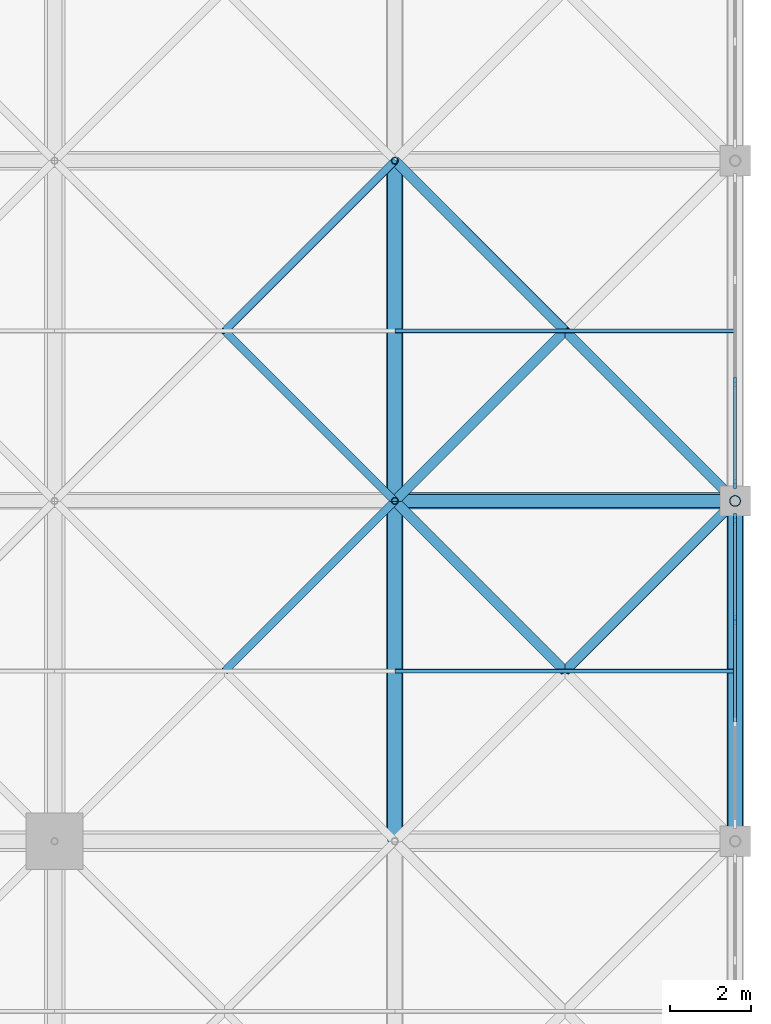
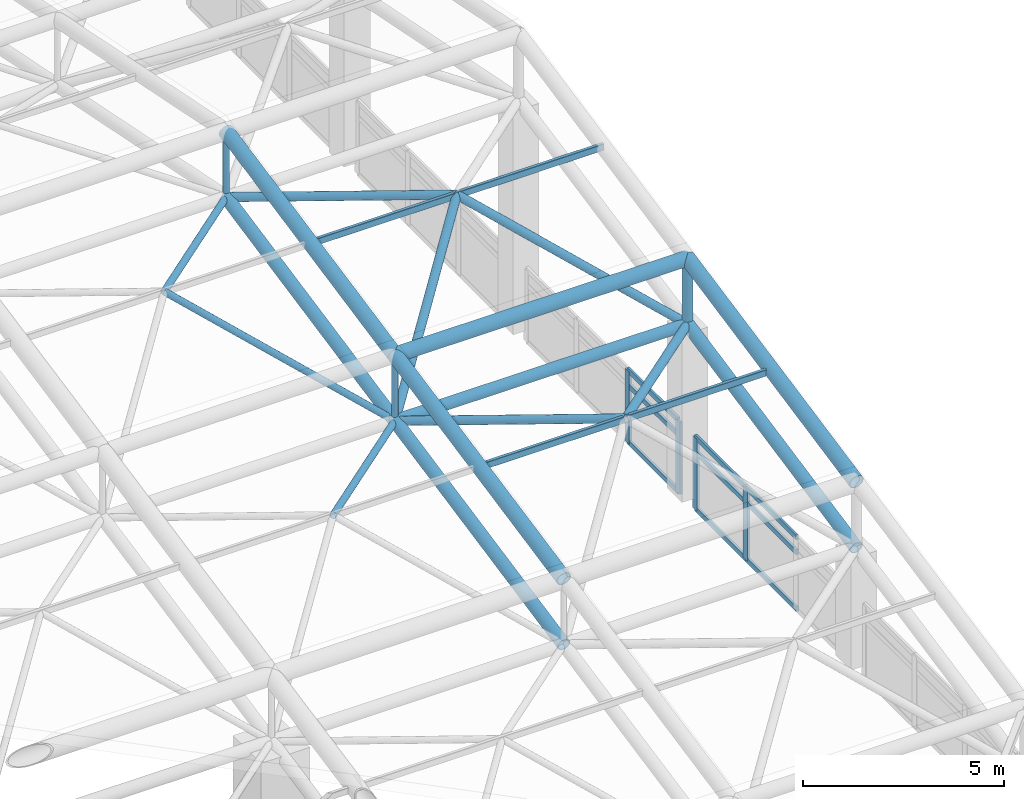
# One storey, part 60 of 110: 34 members, 2 elements without a shape of their own.
"""IFC4 building model written with IfcOpenShell, lengths in metres."""

from ifc_helpers import new_model, si_unit, direction, frame, origin, origin_2d, place, context, subcontext, project, spatial, rectangle, hollow_rectangle, hollow_circle, extrude, material, layer, layer_set, material_profile, profile_set, type_object, element, aggregate, save


model = new_model("IFC4")

# Units and contexts
model_context = context("Model", 3, precision=1e-05, world=origin(), true_north=direction((0.0, 1.0)))
body_context = subcontext(model_context, "Body", "Model", "MODEL_VIEW")
ifc_project = project(units=[si_unit("LENGTHUNIT", "METRE"), si_unit("AREAUNIT", "SQUARE_METRE"), si_unit("VOLUMEUNIT", "CUBIC_METRE"), si_unit("PLANEANGLEUNIT", "RADIAN"), si_unit("MASSUNIT", "GRAM", prefix="KILO")], contexts=[model_context])

# Site, building, storey
site_placement = place(None, origin())
site = spatial("IfcSite", under=ifc_project, at=site_placement, CompositionType="ELEMENT")
building_placement = place(site_placement, origin())
building = spatial("IfcBuilding", under=site, at=building_placement, Name="Qawsi Khor Wholesale Market", CompositionType="ELEMENT")
storey_placement = place(building_placement, frame((0.0, 0.0, 11.39990234375)))
storey = spatial("IfcBuildingStorey", under=building, at=storey_placement, Name="L02", CompositionType="ELEMENT", Elevation=11.39990234375)

# Curtain wall, members
ifc_material_1 = material(Name="Aluminium Anodised Bronze", Category="aluminium")
ifc_layer = layer(ifc_material_1, 0.199951171875, Name="Aluminium Anodised Bronze")
ifc_layer_set = layer_set([ifc_layer], Name="Aluminium Anodised Bronze")
curtain_wall_type = type_object("IfcCurtainWallType", Name="Trading Hall North-Light Curtain Wall CW-03", PredefinedType="NOTDEFINED", material=ifc_layer_set)
curtain_wall_1_placement = place(storey_placement, origin())
curtain_wall_1 = element("IfcCurtainWall", 1, at=curtain_wall_1_placement, inside=storey, type_object=curtain_wall_type, Name="Curtain wall CW-CW-03-L02-134", PredefinedType="NOTDEFINED")
ifc_material_profile_1 = material_profile(ifc_material_1, rectangle(XDim=0.074951171875, YDim=0.219970703125, at=origin_2d()), Name="ALU MULLION 75x220")
ifc_profile_set_1 = profile_set([ifc_material_profile_1], Name="Aluminium Anodised Bronze")
member_type_1 = type_object("IfcMemberType", Name="Curtain Wall Mullion CW-03 ALU MULLION 75x220", PredefinedType="MULLION", material=ifc_profile_set_1)
member_1_placement = place(storey_placement, frame((218.39990234375, 64.25927734375, -0.289794921875), z_axis=(0.0, 0.0, 1.0), x_axis=(1.0, 0.0, 0.0)))
member_1 = element("IfcMember", 2, at=member_1_placement, type_object=member_type_1, Name="Mullion CW-CW-03-L02-134-M02", PredefinedType="MULLION", context=body_context, shape_type="SweptSolid", body=[
    extrude(rectangle(XDim=0.074951171875, YDim=0.219970703125, at=origin_2d()), origin(), (0.0, 0.0, 1.0), 2.18994140625),
])
member_2_placement = place(storey_placement, frame((218.39990234375, 66.777587890625, -0.289794921875), z_axis=(0.0, 0.0, 1.0), x_axis=(1.0, 0.0, 0.0)))
member_2 = element("IfcMember", 3, at=member_2_placement, type_object=member_type_1, Name="Mullion CW-CW-03-L02-134-M03", PredefinedType="MULLION", context=body_context, shape_type="SweptSolid", body=[
    extrude(rectangle(XDim=0.074951171875, YDim=0.219970703125, at=origin_2d()), origin(), (0.0, 0.0, 1.0), 2.18994140625),
])

curtain_wall_2_placement = place(storey_placement, origin())
curtain_wall_2 = element("IfcCurtainWall", 4, at=curtain_wall_2_placement, inside=storey, type_object=curtain_wall_type, Name="Curtain wall CW-CW-03-L02-136", PredefinedType="NOTDEFINED")
member_3_placement = place(storey_placement, frame((218.39990234375, 67.62255859375, -0.289794921875), z_axis=(0.0, 0.0, 1.0), x_axis=(1.0, 0.0, 0.0)))
member_3 = element("IfcMember", 5, at=member_3_placement, type_object=member_type_1, Name="Mullion CW-CW-03-L02-136-M00", PredefinedType="MULLION", context=body_context, shape_type="SweptSolid", body=[
    extrude(rectangle(XDim=0.074951171875, YDim=0.219970703125, at=origin_2d()), origin(), (0.0, 0.0, 1.0), 2.18994140625),
])
member_4_placement = place(storey_placement, frame((218.39990234375, 70.140869140625, -0.289794921875), z_axis=(0.0, 0.0, 1.0), x_axis=(1.0, 0.0, 0.0)))
member_4 = element("IfcMember", 6, at=member_4_placement, type_object=member_type_1, Name="Mullion CW-CW-03-L02-136-M01", PredefinedType="MULLION", context=body_context, shape_type="SweptSolid", body=[
    extrude(rectangle(XDim=0.074951171875, YDim=0.219970703125, at=origin_2d()), origin(), (0.0, 0.0, 1.0), 2.18994140625),
])

# Member
ifc_material_profile_2 = material_profile(ifc_material_1, rectangle(XDim=0.070068359375, YDim=0.14990234375, at=origin_2d()), Name="ALU TRANSOM 70x150")
ifc_profile_set_2 = profile_set([ifc_material_profile_2], Name="Aluminium Anodised Bronze")
member_type_2 = type_object("IfcMemberType", Name="Curtain Wall Transom CW-03 ALU TRANSOM 70x150", PredefinedType="USERDEFINED", material=ifc_profile_set_2)
member_5_placement = place(storey_placement, frame((218.39990234375, 61.74072265625, -0.27001953125), z_axis=(0.0, 1.0, 0.0), x_axis=(-1.0, 0.0, 0.0)))
member_5 = element("IfcMember", 7, at=member_5_placement, type_object=member_type_2, Name="Transom CW-CW-03-L02-134-T0_01", ObjectType="TRANSOM", PredefinedType="USERDEFINED", context=body_context, shape_type="SweptSolid", body=[
    extrude(rectangle(XDim=0.070068359375, YDim=0.14990234375, at=origin_2d()), origin(), (0.0, 0.0, 1.0), 2.5185546875),
])

member_6_placement = place(storey_placement, frame((218.39990234375, 64.25927734375, -0.27001953125), z_axis=(0.0, 1.0, 0.0), x_axis=(-1.0, 0.0, 0.0)))
member_6 = element("IfcMember", 8, at=member_6_placement, type_object=member_type_2, Name="Transom CW-CW-03-L02-134-T0_02", ObjectType="TRANSOM", PredefinedType="USERDEFINED", context=body_context, shape_type="SweptSolid", body=[
    extrude(rectangle(XDim=0.070068359375, YDim=0.14990234375, at=origin_2d()), origin(), (0.0, 0.0, 1.0), 2.518310546875),
])

member_7_placement = place(storey_placement, frame((218.39990234375, 61.74072265625, 1.4501953125), z_axis=(0.0, 1.0, 0.0), x_axis=(-1.0, 0.0, 0.0)))
member_7 = element("IfcMember", 9, at=member_7_placement, type_object=member_type_2, Name="Transom CW-CW-03-L02-134-T1_01", ObjectType="TRANSOM", PredefinedType="USERDEFINED", context=body_context, shape_type="SweptSolid", body=[
    extrude(rectangle(XDim=0.070068359375, YDim=0.14990234375, at=origin_2d()), origin(), (0.0, 0.0, 1.0), 2.5185546875),
])

member_8_placement = place(storey_placement, frame((218.39990234375, 64.25927734375, 1.4501953125), z_axis=(0.0, 1.0, 0.0), x_axis=(-1.0, 0.0, 0.0)))
member_8 = element("IfcMember", 10, at=member_8_placement, type_object=member_type_2, Name="Transom CW-CW-03-L02-134-T1_02", ObjectType="TRANSOM", PredefinedType="USERDEFINED", context=body_context, shape_type="SweptSolid", body=[
    extrude(rectangle(XDim=0.070068359375, YDim=0.14990234375, at=origin_2d()), origin(), (0.0, 0.0, 1.0), 2.518310546875),
])

member_9_placement = place(storey_placement, frame((218.39990234375, 61.74072265625, 1.900146484375), z_axis=(0.0, 1.0, 0.0), x_axis=(-1.0, 0.0, 0.0)))
member_9 = element("IfcMember", 11, at=member_9_placement, type_object=member_type_2, Name="Transom CW-CW-03-L02-134-T2_01", ObjectType="TRANSOM", PredefinedType="USERDEFINED", context=body_context, shape_type="SweptSolid", body=[
    extrude(rectangle(XDim=0.070068359375, YDim=0.14990234375, at=origin_2d()), origin(), (0.0, 0.0, 1.0), 2.5185546875),
])

member_10_placement = place(storey_placement, frame((218.39990234375, 64.25927734375, 1.900146484375), z_axis=(0.0, 1.0, 0.0), x_axis=(-1.0, 0.0, 0.0)))
member_10 = element("IfcMember", 12, at=member_10_placement, type_object=member_type_2, Name="Transom CW-CW-03-L02-134-T2_02", ObjectType="TRANSOM", PredefinedType="USERDEFINED", context=body_context, shape_type="SweptSolid", body=[
    extrude(rectangle(XDim=0.070068359375, YDim=0.14990234375, at=origin_2d()), origin(), (0.0, 0.0, 1.0), 2.518310546875),
])

aggregate(curtain_wall_1, [member_1, member_2, member_5, member_6, member_7, member_8, member_9, member_10])

member_11_placement = place(storey_placement, frame((218.39990234375, 67.62255859375, -0.27001953125), z_axis=(0.0, 1.0, 0.0), x_axis=(-1.0, 0.0, 0.0)))
member_11 = element("IfcMember", 13, at=member_11_placement, type_object=member_type_2, Name="Transom CW-CW-03-L02-136-T0_00", ObjectType="TRANSOM", PredefinedType="USERDEFINED", context=body_context, shape_type="SweptSolid", body=[
    extrude(rectangle(XDim=0.070068359375, YDim=0.14990234375, at=origin_2d()), origin(), (0.0, 0.0, 1.0), 2.518310546875),
])

member_12_placement = place(storey_placement, frame((218.39990234375, 67.62255859375, 1.4501953125), z_axis=(0.0, 1.0, 0.0), x_axis=(-1.0, 0.0, 0.0)))
member_12 = element("IfcMember", 14, at=member_12_placement, type_object=member_type_2, Name="Transom CW-CW-03-L02-136-T1_00", ObjectType="TRANSOM", PredefinedType="USERDEFINED", context=body_context, shape_type="SweptSolid", body=[
    extrude(rectangle(XDim=0.070068359375, YDim=0.14990234375, at=origin_2d()), origin(), (0.0, 0.0, 1.0), 2.518310546875),
])

member_13_placement = place(storey_placement, frame((218.39990234375, 67.62255859375, 1.900146484375), z_axis=(0.0, 1.0, 0.0), x_axis=(-1.0, 0.0, 0.0)))
member_13 = element("IfcMember", 15, at=member_13_placement, type_object=member_type_2, Name="Transom CW-CW-03-L02-136-T2_00", ObjectType="TRANSOM", PredefinedType="USERDEFINED", context=body_context, shape_type="SweptSolid", body=[
    extrude(rectangle(XDim=0.070068359375, YDim=0.14990234375, at=origin_2d()), origin(), (0.0, 0.0, 1.0), 2.518310546875),
])

aggregate(curtain_wall_2, [member_3, member_4, member_11, member_12, member_13])

# Members
ifc_material_2 = material(Name="Steel S355", Category="steel")
ifc_material_profile_3 = material_profile(ifc_material_2, hollow_circle(Radius=0.177734375, WallThickness=0.01611328125, at=origin_2d()), Name="CHS 355.6x16.0")
ifc_profile_set_3 = profile_set([ifc_material_profile_3], Name="Steel S355")
member_type_3 = type_object("IfcMemberType", Name="Space-Frame Bottom Chord CHS 355.6x16.0", PredefinedType="CHORD", material=ifc_profile_set_3)
for number, where, z_axis, x_axis, name in (
    (16, (210.0, 58.800048828125, 3.3701171875), (0.0, 0.980129990483, 0.1983562496), (-1.0, 0.0, 0.0), "Space frame bottom chord Y EH (25,7)"),
    (17, (210.0, 67.199951171875, 5.070068359375), (0.0, 0.98013111127, 0.198350711418), (-1.0, 0.0, 0.0), "Space frame bottom chord Y EH (25,8)"),
    (18, (218.39990234375, 58.800048828125, 3.3701171875), (0.0, 0.980129990483, 0.1983562496), (-1.0, 0.0, 0.0), "Space frame bottom chord Y EH (26,7)"),
):
    element("IfcMember", number, at=place(storey_placement, frame(where, z_axis=z_axis, x_axis=x_axis)), inside=storey, type_object=member_type_3, Name=name, PredefinedType="CHORD", context=body_context, shape_type="SweptSolid", body=[
        extrude(hollow_circle(Radius=0.177734375, WallThickness=0.01611328125, at=origin_2d()), origin(), (0.0, 0.0, 1.0), 8.5703125),
    ])
ifc_material_profile_4 = material_profile(ifc_material_2, hollow_circle(Radius=0.136474609375, WallThickness=0.012451171875, at=origin_2d()), Name="CHS 273.0x12.5")
ifc_profile_set_4 = profile_set([ifc_material_profile_4], Name="Steel S355")
member_type_4 = type_object("IfcMemberType", Name="Space-Frame Edge Post CHS 273.0x12.5", PredefinedType="POST", material=ifc_profile_set_4)
member_14_placement = place(storey_placement, frame((218.39990234375, 67.199951171875, 5.070068359375), z_axis=(0.0, 0.0, 1.0), x_axis=(1.0, 0.0, 0.0)))
element("IfcMember", 19, at=member_14_placement, inside=storey, type_object=member_type_4, Name="Space frame post EH (26,8)", PredefinedType="POST", context=body_context, shape_type="SweptSolid", body=[
    extrude(hollow_circle(Radius=0.136474609375, WallThickness=0.012451171875, at=origin_2d()), origin(), (0.0, 0.0, 1.0), 2.0),
])
ifc_material_profile_5 = material_profile(ifc_material_2, hollow_circle(Radius=0.122314453125, WallThickness=0.012451171875, at=origin_2d()), Name="CHS 244.5x12.5")
ifc_profile_set_5 = profile_set([ifc_material_profile_5], Name="Steel S355")
member_type_5 = type_object("IfcMemberType", Name="Space-Frame Heavy Diagonal CHS 244.5x12.5", PredefinedType="POST", material=ifc_profile_set_5)
for number, where, z_axis, x_axis, name in (
    (20, (218.39990234375, 67.199951171875, 5.070068359375), (-0.694211389158, -0.694211389158, 0.190108112208), (0.707106781187, -0.707106781187, 0.0), "Space frame diagonal EH (25,7)-3"),
    (21, (210.0, 67.199951171875, 5.070068359375), (0.694211389158, -0.694211389158, 0.190108112208), (0.707106781187, 0.707106781187, 0.0), "Space frame diagonal EH (25,7)-4"),
):
    element("IfcMember", number, at=place(storey_placement, frame(where, z_axis=z_axis, x_axis=x_axis)), inside=storey, type_object=member_type_5, Name=name, PredefinedType="POST", context=body_context, shape_type="SweptSolid", body=[
        extrude(hollow_circle(Radius=0.122314453125, WallThickness=0.012451171875, at=origin_2d()), origin(), (0.0, 0.0, 1.0), 6.050048828125),
    ])
for number, where, z_axis, x_axis, name in (
    (22, (210.0, 67.199951171875, 5.070068359375), (0.637511741089, 0.637511741089, 0.432617105474), (-0.707106781187, 0.707106781187, 0.0), "Space frame diagonal EH (25,8)-1"),
    (23, (218.39990234375, 67.199951171875, 5.070068359375), (-0.637511741089, 0.637511741089, 0.432617105474), (-0.707106781187, -0.707106781187, 0.0), "Space frame diagonal EH (25,8)-2"),
):
    element("IfcMember", number, at=place(storey_placement, frame(where, z_axis=z_axis, x_axis=x_axis)), inside=storey, type_object=member_type_5, Name=name, PredefinedType="POST", context=body_context, shape_type="SweptSolid", body=[
        extrude(hollow_circle(Radius=0.122314453125, WallThickness=0.012451171875, at=origin_2d()), origin(), (0.0, 0.0, 1.0), 6.588134765625),
    ])
member_15_placement = place(storey_placement, frame((210.0, 75.60009765625, 6.77001953125), z_axis=(0.694191941586, -0.694232294544, 0.190102786538), x_axis=(0.707127332136, 0.70708622964, 0.0)))
element("IfcMember", 24, at=member_15_placement, inside=storey, type_object=member_type_5, Name="Space frame diagonal EH (25,8)-4", PredefinedType="POST", context=body_context, shape_type="SweptSolid", body=[
    extrude(hollow_circle(Radius=0.122314453125, WallThickness=0.012451171875, at=origin_2d()), origin(), (0.0, 0.0, 1.0), 6.050048828125),
])
ifc_material_profile_6 = material_profile(ifc_material_2, hollow_rectangle(XDim=0.10009765625, YDim=0.199951171875, WallThickness=0.008056640625, InnerFilletRadius=0.008056640625, OuterFilletRadius=0.01611328125, at=origin_2d()), Name="RHS 200x100x8.0")
ifc_profile_set_6 = profile_set([ifc_material_profile_6], Name="Steel S355")
member_type_6 = type_object("IfcMemberType", Name="Space-Frame Purlin RHS 200x100x8.0", PredefinedType="PURLIN", material=ifc_profile_set_6)
for number, where, z_axis, x_axis, name in (
    (25, (210.0, 63.0, 6.22021484375), (1.0, 0.0, 0.0), (0.0, 1.0, 0.0), "Space frame purlin EH (25,7)"),
    (26, (210.0, 71.39990234375, 7.920166015625), (1.0, 0.0, 0.0), (0.0, 1.0, 0.0), "Space frame purlin EH (25,8)"),
):
    element("IfcMember", number, at=place(storey_placement, frame(where, z_axis=z_axis, x_axis=x_axis)), inside=storey, type_object=member_type_6, Name=name, PredefinedType="PURLIN", context=body_context, shape_type="SweptSolid", body=[
        extrude(hollow_rectangle(XDim=0.10009765625, YDim=0.199951171875, WallThickness=0.008056640625, InnerFilletRadius=0.008056640625, OuterFilletRadius=0.01611328125, at=origin_2d()), origin(), (0.0, 0.0, 1.0), 8.39990234375),
    ])
ifc_material_profile_7 = material_profile(ifc_material_2, hollow_circle(Radius=0.161865234375, WallThickness=0.01611328125, at=origin_2d()), Name="CHS 323.9x16.0")
ifc_profile_set_7 = profile_set([ifc_material_profile_7], Name="Steel S355")
member_type_7 = type_object("IfcMemberType", Name="Space-Frame Secondary Chord CHS 323.9x16.0", PredefinedType="CHORD", material=ifc_profile_set_7)
member_16_placement = place(storey_placement, frame((210.0, 67.199951171875, 5.070068359375), z_axis=(1.0, 0.0, 0.0), x_axis=(0.0, 1.0, 0.0)))
element("IfcMember", 27, at=member_16_placement, inside=storey, type_object=member_type_7, Name="Space frame bottom chord X EH (25,8)", PredefinedType="CHORD", context=body_context, shape_type="SweptSolid", body=[
    extrude(hollow_circle(Radius=0.161865234375, WallThickness=0.01611328125, at=origin_2d()), origin(), (0.0, 0.0, 1.0), 8.39990234375),
])
ifc_material_profile_8 = material_profile(ifc_material_2, hollow_circle(Radius=0.096923828125, WallThickness=0.008056640625, at=origin_2d()), Name="CHS 193.7x8.0")
ifc_profile_set_8 = profile_set([ifc_material_profile_8], Name="Steel S355")
member_type_8 = type_object("IfcMemberType", Name="Space-Frame Secondary Diagonal CHS 193.7x8.0", PredefinedType="RAFTER", material=ifc_profile_set_8)
member_17_placement = place(storey_placement, frame((210.0, 67.199951171875, 5.070068359375), z_axis=(-0.694211389158, -0.694211389158, 0.190108112208), x_axis=(0.707106781187, -0.707106781187, 0.0)))
element("IfcMember", 28, at=member_17_placement, inside=storey, type_object=member_type_8, Name="Space frame diagonal EH (24,7)-3", PredefinedType="RAFTER", context=body_context, shape_type="SweptSolid", body=[
    extrude(hollow_circle(Radius=0.096923828125, WallThickness=0.008056640625, at=origin_2d()), origin(), (0.0, 0.0, 1.0), 6.050048828125),
])
member_18_placement = place(storey_placement, frame((210.0, 67.199951171875, 5.070068359375), z_axis=(-0.637511741089, 0.637511741089, 0.432617105474), x_axis=(-0.707106781187, -0.707106781187, 0.0)))
element("IfcMember", 29, at=member_18_placement, inside=storey, type_object=member_type_8, Name="Space frame diagonal EH (24,8)-2", PredefinedType="RAFTER", context=body_context, shape_type="SweptSolid", body=[
    extrude(hollow_circle(Radius=0.096923828125, WallThickness=0.008056640625, at=origin_2d()), origin(), (0.0, 0.0, 1.0), 6.588134765625),
])
member_19_placement = place(storey_placement, frame((210.0, 75.60009765625, 6.77001953125), z_axis=(-0.694191941586, -0.694232294544, 0.190102786538), x_axis=(0.707127332136, -0.70708622964, 0.0)))
element("IfcMember", 30, at=member_19_placement, inside=storey, type_object=member_type_8, Name="Space frame diagonal EH (24,8)-3", PredefinedType="RAFTER", context=body_context, shape_type="SweptSolid", body=[
    extrude(hollow_circle(Radius=0.096923828125, WallThickness=0.008056640625, at=origin_2d()), origin(), (0.0, 0.0, 1.0), 6.050048828125),
])
ifc_material_profile_9 = material_profile(ifc_material_2, hollow_circle(Radius=0.203125, WallThickness=0.02001953125, at=origin_2d()), Name="CHS 406.4x20.0")
ifc_profile_set_9 = profile_set([ifc_material_profile_9], Name="Steel S355")
member_type_9 = type_object("IfcMemberType", Name="Space-Frame Top Chord CHS 406.4x20.0", PredefinedType="CHORD", material=ifc_profile_set_9)
member_20_placement = place(storey_placement, frame((210.0, 58.800048828125, 5.3701171875), z_axis=(0.0, 0.980129990483, 0.1983562496), x_axis=(-1.0, 0.0, 0.0)))
element("IfcMember", 31, at=member_20_placement, inside=storey, type_object=member_type_9, Name="Space frame top chord Y EH (25,7)", PredefinedType="CHORD", context=body_context, shape_type="SweptSolid", body=[
    extrude(hollow_circle(Radius=0.203125, WallThickness=0.02001953125, at=origin_2d()), origin(), (0.0, 0.0, 1.0), 8.5703125),
])
member_21_placement = place(storey_placement, frame((210.0, 67.199951171875, 7.070068359375), z_axis=(1.0, 0.0, 0.0), x_axis=(0.0, 1.0, 0.0)))
element("IfcMember", 32, at=member_21_placement, inside=storey, type_object=member_type_9, Name="Space frame top chord X EH (25,8)", PredefinedType="CHORD", context=body_context, shape_type="SweptSolid", body=[
    extrude(hollow_circle(Radius=0.203125, WallThickness=0.02001953125, at=origin_2d()), origin(), (0.0, 0.0, 1.0), 8.39990234375),
])
for number, where, z_axis, x_axis, name in (
    (33, (210.0, 67.199951171875, 7.070068359375), (0.0, 0.98013111127, 0.198350711418), (-1.0, 0.0, 0.0), "Space frame top chord Y EH (25,8)"),
    (34, (218.39990234375, 58.800048828125, 5.3701171875), (0.0, 0.980129990483, 0.1983562496), (-1.0, 0.0, 0.0), "Space frame top chord Y EH (26,7)"),
):
    element("IfcMember", number, at=place(storey_placement, frame(where, z_axis=z_axis, x_axis=x_axis)), inside=storey, type_object=member_type_9, Name=name, PredefinedType="CHORD", context=body_context, shape_type="SweptSolid", body=[
        extrude(hollow_circle(Radius=0.203125, WallThickness=0.02001953125, at=origin_2d()), origin(), (0.0, 0.0, 1.0), 8.5703125),
    ])
ifc_material_profile_10 = material_profile(ifc_material_2, hollow_circle(Radius=0.084228515625, WallThickness=0.008056640625, at=origin_2d()), Name="CHS 168.3x8.0")
ifc_profile_set_10 = profile_set([ifc_material_profile_10], Name="Steel S355")
member_type_10 = type_object("IfcMemberType", Name="Space-Frame Vertical Strut CHS 168.3x8.0", PredefinedType="STRUT", material=ifc_profile_set_10)
for number, where, z_axis, x_axis, name in (
    (35, (210.0, 67.199951171875, 5.070068359375), (0.0, 0.0, 1.0), (1.0, 0.0, 0.0), "Space frame post EH (25,8)"),
    (36, (210.0, 75.60009765625, 6.77001953125), (0.0, 0.0, 1.0), (1.0, 0.0, 0.0), "Space frame post EH (25,9)"),
):
    element("IfcMember", number, at=place(storey_placement, frame(where, z_axis=z_axis, x_axis=x_axis)), inside=storey, type_object=member_type_10, Name=name, PredefinedType="STRUT", context=body_context, shape_type="SweptSolid", body=[
        extrude(hollow_circle(Radius=0.084228515625, WallThickness=0.008056640625, at=origin_2d()), origin(), (0.0, 0.0, 1.0), 2.0),
    ])

save(model, "model.ifc")
